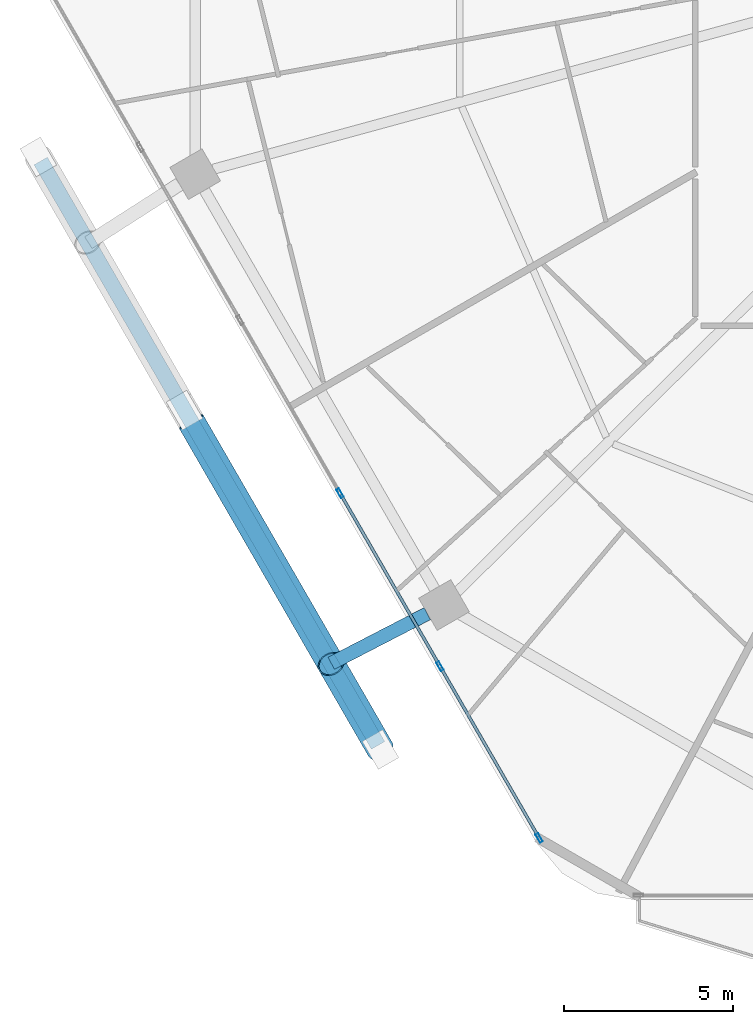
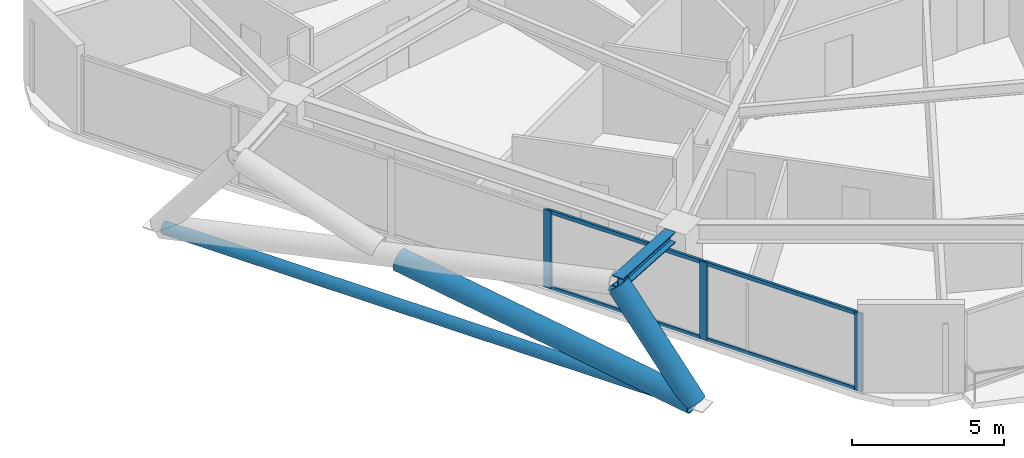
# One storey, part 2 of 35: 10 members, 1 beam, 1 element without a shape of its own.
"""IFC4 building model written with IfcOpenShell, lengths in metres."""

from ifc_helpers import new_model, si_unit, direction, frame, origin, origin_2d, place, context, subcontext, project, spatial, hollow_rectangle, hollow_circle, i_section, extrude, material, material_profile, profile_set, type_object, element, aggregate, save


model = new_model("IFC4")

# Units and contexts
model_context = context("Model", 3, precision=1e-05, world=origin(), true_north=direction((0.0, 1.0)))
body_context = subcontext(model_context, "Body", "Model", "MODEL_VIEW")
ifc_project = project(units=[si_unit("LENGTHUNIT", "METRE"), si_unit("AREAUNIT", "SQUARE_METRE"), si_unit("VOLUMEUNIT", "CUBIC_METRE"), si_unit("PLANEANGLEUNIT", "RADIAN"), si_unit("MASSUNIT", "GRAM", prefix="KILO")], contexts=[model_context])

# Site, building, storey
site_placement = place(None, origin())
site = spatial("IfcSite", under=ifc_project, at=site_placement, CompositionType="ELEMENT")
building_placement = place(site_placement, origin())
building = spatial("IfcBuilding", under=site, at=building_placement, Name="Zuhravey Tower", CompositionType="ELEMENT")
storey_placement = place(building_placement, frame((0.0, 0.0, 138.0)))
storey = spatial("IfcBuildingStorey", under=building, at=storey_placement, Name="L34", CompositionType="ELEMENT", Elevation=138.0)

# Curtain wall, members
ifc_material_1 = material(Name="Thermally broken anodised aluminium", Category="aluminium")
curtain_wall_type = type_object("IfcCurtainWallType", Name="Zone 1-2 Residential Curtain Wall CW3", PredefinedType="NOTDEFINED", material=ifc_material_1)
curtain_wall_placement = place(storey_placement, origin())
curtain_wall = element("IfcCurtainWall", 1, at=curtain_wall_placement, inside=storey, type_object=curtain_wall_type, Name="L34 CW3 CW-L34-F4-1", PredefinedType="NOTDEFINED")
ifc_material_2 = material(Name="Anodised aluminium", Category="aluminium")
ifc_material_profile_1 = material_profile(ifc_material_2, hollow_rectangle(XDim=0.090087890625, YDim=0.284912109375, WallThickness=0.0048828125, at=origin_2d()), Name="ALU-RHS-90x285x5")
ifc_profile_set_1 = profile_set([ifc_material_profile_1], Name="Anodised aluminium")
member_type_1 = type_object("IfcMemberType", Name="Curtain-Wall Mullion 90x180", PredefinedType="MULLION", material=ifc_profile_set_1)
member_1_placement = place(storey_placement, frame((18.298583984375, 4.742919921875, 0.0), z_axis=(0.0, 0.0, 1.0), x_axis=(-0.86602552265, -0.499999794119, 0.0)))
member_1 = element("IfcMember", 2, at=member_1_placement, type_object=member_type_1, Name="CW3 mullion 1", PredefinedType="MULLION", context=body_context, shape_type="SweptSolid", body=[
    extrude(hollow_rectangle(XDim=0.090087890625, YDim=0.284912109375, WallThickness=0.0048828125, at=origin_2d()), origin(), (0.0, 0.0, 1.0), 3.1220703125),
])
member_2_placement = place(storey_placement, frame((15.361083984375, 9.830810546875, 0.0), z_axis=(0.0, 0.0, 1.0), x_axis=(-0.86602552265, -0.499999794119, 0.0)))
member_2 = element("IfcMember", 3, at=member_2_placement, type_object=member_type_1, Name="CW3 mullion 2", PredefinedType="MULLION", context=body_context, shape_type="SweptSolid", body=[
    extrude(hollow_rectangle(XDim=0.090087890625, YDim=0.284912109375, WallThickness=0.0048828125, at=origin_2d()), origin(), (0.0, 0.0, 1.0), 3.1220703125),
])
member_3_placement = place(storey_placement, frame((12.401123046875, 14.95751953125, 0.0), z_axis=(0.0, 0.0, 1.0), x_axis=(-0.86602552265, -0.499999794119, 0.0)))
member_3 = element("IfcMember", 4, at=member_3_placement, type_object=member_type_1, Name="CW3 mullion 3", PredefinedType="MULLION", context=body_context, shape_type="SweptSolid", body=[
    extrude(hollow_rectangle(XDim=0.090087890625, YDim=0.284912109375, WallThickness=0.0048828125, at=origin_2d()), origin(), (0.0, 0.0, 1.0), 3.1220703125),
])
ifc_material_profile_2 = material_profile(ifc_material_2, hollow_rectangle(XDim=0.090087890625, YDim=0.14990234375, WallThickness=0.0048828125, at=origin_2d()), Name="ALU-RHS-90x150x5")
ifc_profile_set_2 = profile_set([ifc_material_profile_2], Name="Anodised aluminium")
member_type_2 = type_object("IfcMemberType", Name="Curtain-Wall Transom 90x150", PredefinedType="USERDEFINED", material=ifc_profile_set_2)
member_4_placement = place(storey_placement, frame((18.27587890625, 4.781982421875, 0.044921875), z_axis=(-0.499992798144, 0.866029561738, 0.0), x_axis=(-0.866029561738, -0.499992798144, 0.0)))
member_4 = element("IfcMember", 5, at=member_4_placement, type_object=member_type_2, Name="CW3 transom 1.1", ObjectType="TRANSOM", PredefinedType="USERDEFINED", context=body_context, shape_type="SweptSolid", body=[
    extrude(hollow_rectangle(XDim=0.090087890625, YDim=0.14990234375, WallThickness=0.0048828125, at=origin_2d()), origin(), (0.0, 0.0, 1.0), 5.78466796875),
])
member_5_placement = place(storey_placement, frame((18.27587890625, 4.781982421875, 3.076904296875), z_axis=(-0.499992798144, 0.866029561738, 0.0), x_axis=(-0.866029561738, -0.499992798144, 0.0)))
member_5 = element("IfcMember", 6, at=member_5_placement, type_object=member_type_2, Name="CW3 transom 1.2", ObjectType="TRANSOM", PredefinedType="USERDEFINED", context=body_context, shape_type="SweptSolid", body=[
    extrude(hollow_rectangle(XDim=0.090087890625, YDim=0.14990234375, WallThickness=0.0048828125, at=origin_2d()), origin(), (0.0, 0.0, 1.0), 5.78466796875),
])
member_6_placement = place(storey_placement, frame((15.338623046875, 9.86962890625, 0.044921875), z_axis=(-0.500012451049, 0.866018215049, 0.0), x_axis=(-0.866018215049, -0.500012451049, 0.0)))
member_6 = element("IfcMember", 7, at=member_6_placement, type_object=member_type_2, Name="CW3 transom 2.1", ObjectType="TRANSOM", PredefinedType="USERDEFINED", context=body_context, shape_type="SweptSolid", body=[
    extrude(hollow_rectangle(XDim=0.090087890625, YDim=0.14990234375, WallThickness=0.0048828125, at=origin_2d()), origin(), (0.0, 0.0, 1.0), 5.829833984375),
])
member_7_placement = place(storey_placement, frame((15.338623046875, 9.86962890625, 3.076904296875), z_axis=(-0.500012451049, 0.866018215049, 0.0), x_axis=(-0.866018215049, -0.500012451049, 0.0)))
member_7 = element("IfcMember", 8, at=member_7_placement, type_object=member_type_2, Name="CW3 transom 2.2", ObjectType="TRANSOM", PredefinedType="USERDEFINED", context=body_context, shape_type="SweptSolid", body=[
    extrude(hollow_rectangle(XDim=0.090087890625, YDim=0.14990234375, WallThickness=0.0048828125, at=origin_2d()), origin(), (0.0, 0.0, 1.0), 5.829833984375),
])
aggregate(curtain_wall, [member_1, member_2, member_3, member_4, member_5, member_6, member_7])

# Beam
ifc_material_3 = material(Name="Steel SM460", Category="steel")
ifc_material_profile_3 = material_profile(ifc_material_3, i_section(OverallWidth=0.406982421875, OverallDepth=0.427978515625, WebThickness=0.02001953125, FlangeThickness=0.034912109375, at=origin_2d()), Name="H-428x407x20x35")
ifc_profile_set_3 = profile_set([ifc_material_profile_3], Name="Steel SM460")
beam_type = type_object("IfcBeamType", Name="Exoskeleton Node Tie Beam H428x407", PredefinedType="BEAM", material=ifc_profile_set_3)
beam_placement = place(storey_placement, frame((14.98828125, 11.388427734375, 3.3359375), z_axis=(-0.888437298009, -0.458998003816, 0.0), x_axis=(0.458998003816, -0.888437298009, 0.0)))
element("IfcBeam", 9, at=beam_placement, inside=storey, type_object=beam_type, Name="L34 Exoskeleton Node Tie NT1-08", PredefinedType="BEAM", context=body_context, shape_type="SweptSolid", body=[
    extrude(i_section(OverallWidth=0.406982421875, OverallDepth=0.427978515625, WebThickness=0.02001953125, FlangeThickness=0.034912109375, at=origin_2d()), origin(), (0.0, 0.0, 1.0), 3.20458984375),
])

# Members
ifc_material_4 = material(Name="Steel SM355", Category="steel")
ifc_material_profile_4 = material_profile(ifc_material_4, hollow_circle(Radius=0.228515625, WallThickness=0.02197265625, at=origin_2d()), Name="CHS-457.2x22")
ifc_profile_set_4 = profile_set([ifc_material_profile_4], Name="Steel SM355")
member_type_3 = type_object("IfcMemberType", Name="Exoskeleton Ring Tie CHS457x22", PredefinedType="CHORD", material=ifc_profile_set_4)
member_8_placement = place(storey_placement, frame((3.53271484375, 24.79833984375, -0.464111328125), z_axis=(0.499987058157, -0.866032875632, 0.0), x_axis=(0.866032875632, 0.499987058157, 0.0)))
element("IfcMember", 10, at=member_8_placement, inside=storey, type_object=member_type_3, Name="L34 Exoskeleton Face 4 Tie EXR1", PredefinedType="CHORD", context=body_context, shape_type="SweptSolid", body=[
    extrude(hollow_circle(Radius=0.228515625, WallThickness=0.02197265625, at=origin_2d()), origin(), (0.0, 0.0, 1.0), 19.99365234375),
])
ifc_material_profile_5 = material_profile(ifc_material_3, hollow_circle(Radius=0.406494140625, WallThickness=0.035888671875, at=origin_2d()), Name="CHS-812.8x36")
ifc_profile_set_5 = profile_set([ifc_material_profile_5], Name="Steel SM460")
member_type_4 = type_object("IfcMemberType", Name="Exoskeleton Zone 1 Diagrid CHS813x36", PredefinedType="BRACE", material=ifc_profile_set_5)
member_9_placement = place(storey_placement, frame((13.5908203125, 7.376708984375, -0.44189453125), z_axis=(-0.306137960083, 0.53030680042, 0.790603723002), x_axis=(-0.866050021655, -0.499957358174, 0.0)))
element("IfcMember", 11, at=member_9_placement, inside=storey, type_object=member_type_4, Name="L34 Face 4 Diagrid Brace 4", PredefinedType="BRACE", context=body_context, shape_type="SweptSolid", body=[
    extrude(hollow_circle(Radius=0.406494140625, WallThickness=0.035888671875, at=origin_2d()), origin(), (0.0, 0.0, 1.0), 4.750732421875),
])
member_10_placement = place(storey_placement, frame((13.563232421875, 7.424560546875, -0.4521484375), z_axis=(-0.493427151692, 0.854655432345, 0.161535562454), x_axis=(-0.866029086066, -0.499993622047, 0.0)))
element("IfcMember", 12, at=member_10_placement, inside=storey, type_object=member_type_4, Name="L34 Face 4 Split Diagrid Brace 3A", PredefinedType="BRACE", context=body_context, shape_type="SweptSolid", body=[
    extrude(hollow_circle(Radius=0.406494140625, WallThickness=0.035888671875, at=origin_2d()), origin(), (0.0, 0.0, 1.0), 11.29296875),
])

save(model, "model.ifc")
